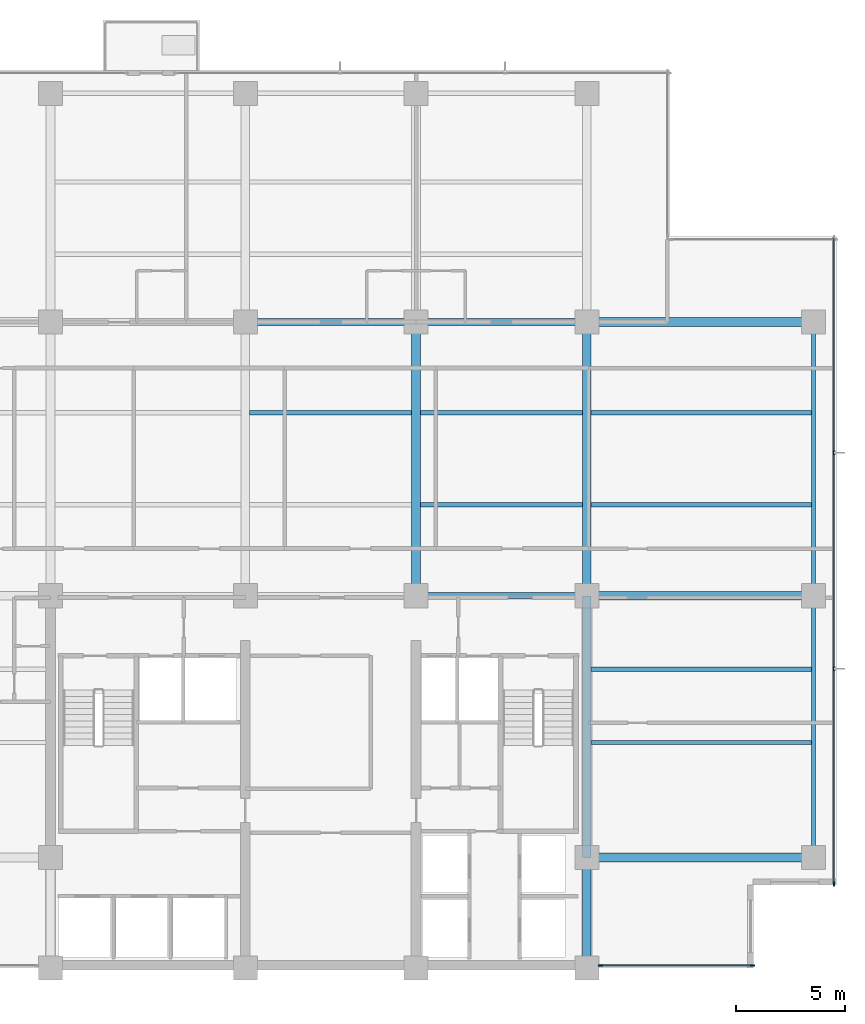
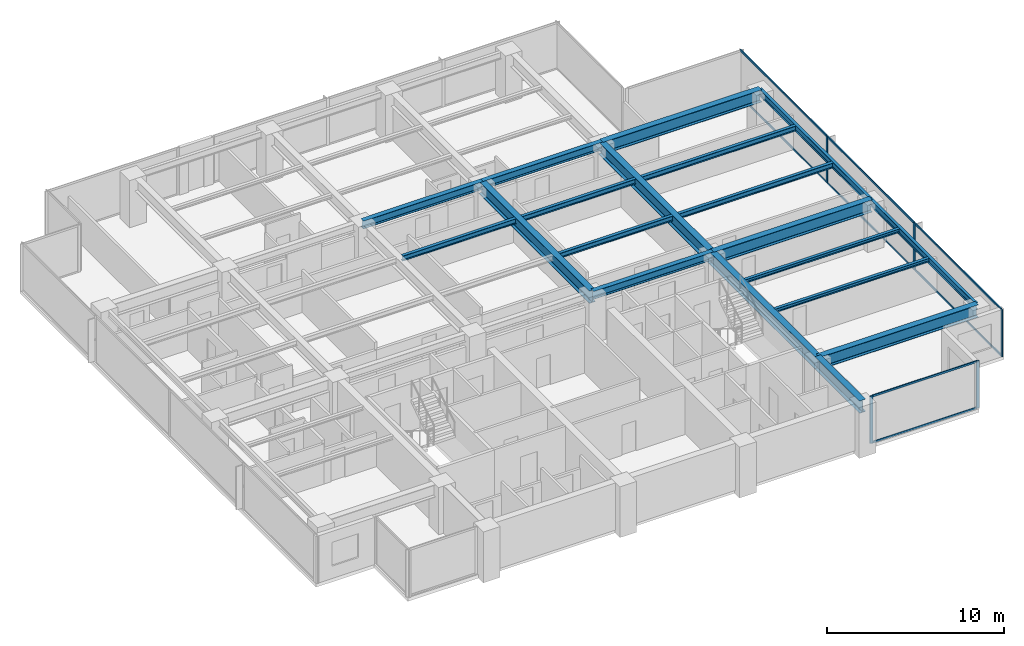
# One storey, part 3 of 14: 19 beams, 13 members, 2 elements without a shape of their own.
"""IFC4 building model written with IfcOpenShell, lengths in metres."""

from ifc_helpers import new_model, si_unit, direction, frame, origin, origin_2d, place, context, subcontext, project, spatial, rectangle, i_section, extrude, material, layer, layer_set, material_profile, profile_set, type_object, element, aggregate, save


model = new_model("IFC4")

# Units and contexts
model_context = context("Model", 3, precision=1e-05, world=origin(), true_north=direction((0.0, 1.0)))
body_context = subcontext(model_context, "Body", "Model", "MODEL_VIEW")
ifc_project = project(units=[si_unit("LENGTHUNIT", "METRE"), si_unit("AREAUNIT", "SQUARE_METRE"), si_unit("VOLUMEUNIT", "CUBIC_METRE"), si_unit("PLANEANGLEUNIT", "RADIAN"), si_unit("MASSUNIT", "GRAM", prefix="KILO")], contexts=[model_context])

# Site, building, storey
site_placement = place(None, origin())
site = spatial("IfcSite", under=ifc_project, at=site_placement, CompositionType="ELEMENT")
building_placement = place(site_placement, origin())
building = spatial("IfcBuilding", under=site, at=building_placement, Name="Qalmaran Belvedere Hotel", CompositionType="ELEMENT")
storey_placement = place(building_placement, frame((0.0, 0.0, 166.60009765625)))
storey = spatial("IfcBuildingStorey", under=building, at=storey_placement, Name="L42", CompositionType="ELEMENT", Elevation=166.60009765625)

# Beams
ifc_material_1 = material(Name="Steel S355JR", Category="steel")
ifc_material_profile_1 = material_profile(ifc_material_1, i_section(OverallWidth=0.201904296875, OverallDepth=0.2470703125, WebThickness=0.00732421875, FlangeThickness=0.010986328125, FilletRadius=0.011962890625, at=origin_2d()), Name="W250X49")
ifc_profile_set_1 = profile_set([ifc_material_profile_1], Name="Steel S355JR")
beam_type_1 = type_object("IfcBeamType", Name="BM-JST-W250X49", PredefinedType="JOIST", material=ifc_profile_set_1)
for number, where, z_axis, x_axis, name in (
    (1, (44.998046875, 13.800048828125, 3.12646484375), (1.0, 0.0, 0.0), (0.0, 1.0, 0.0), "L42 East Wing Joist 039"),
    (2, (44.998046875, 17.14990234375, 3.12646484375), (1.0, 0.0, 0.0), (0.0, 1.0, 0.0), "L42 East Wing Joist 041"),
):
    element("IfcBeam", number, at=place(storey_placement, frame(where, z_axis=z_axis, x_axis=x_axis)), inside=storey, type_object=beam_type_1, Name=name, PredefinedType="JOIST", context=body_context, shape_type="SweptSolid", body=[
        extrude(i_section(OverallWidth=0.201904296875, OverallDepth=0.2470703125, WebThickness=0.00732421875, FlangeThickness=0.010986328125, FilletRadius=0.011962890625, at=origin_2d()), origin(), (0.0, 0.0, 1.0), 10.057861328125),
    ])
ifc_material_profile_2 = material_profile(ifc_material_1, i_section(OverallWidth=0.39990234375, OverallDepth=0.85498046875, WebThickness=0.018310546875, FlangeThickness=0.029296875, FilletRadius=0.02392578125, at=origin_2d()), Name="W840X299")
ifc_profile_set_2 = profile_set([ifc_material_profile_2], Name="Steel S355JR")
beam_type_2 = type_object("IfcBeamType", Name="BM-PG3-W840X299", PredefinedType="USERDEFINED", material=ifc_profile_set_2)
for number, where, z_axis, x_axis, name in (
    (3, (37.0, 20.5, 2.822509765625), (0.0, 1.0, 0.0), (-1.0, 0.0, 0.0), "L42 Mid-Plate N-S Girder 18"),
    (4, (44.800048828125, 20.5, 2.822509765625), (0.0, 1.0, 0.0), (-1.0, 0.0, 0.0), "L42 Mid-Plate N-S Girder 20"),
):
    element("IfcBeam", number, at=place(storey_placement, frame(where, z_axis=z_axis, x_axis=x_axis)), inside=storey, type_object=beam_type_2, Name=name, ObjectType="GIRDER", PredefinedType="USERDEFINED", context=body_context, shape_type="SweptSolid", body=[
        extrude(i_section(OverallWidth=0.39990234375, OverallDepth=0.85498046875, WebThickness=0.018310546875, FlangeThickness=0.029296875, FilletRadius=0.02392578125, at=origin_2d()), origin(), (0.0, 0.0, 1.0), 12.5),
    ])
beam_1_placement = place(storey_placement, frame((44.800048828125, 3.5, 2.822509765625), z_axis=(0.0, 1.0, 0.0), x_axis=(-1.0, 0.0, 0.0)))
element("IfcBeam", 5, at=beam_1_placement, inside=storey, type_object=beam_type_2, Name="L42 East Core Edge Girder A", ObjectType="GIRDER", PredefinedType="USERDEFINED", context=body_context, shape_type="SweptSolid", body=[
    extrude(i_section(OverallWidth=0.39990234375, OverallDepth=0.85498046875, WebThickness=0.018310546875, FlangeThickness=0.029296875, FilletRadius=0.02392578125, at=origin_2d()), origin(), (0.0, 0.0, 1.0), 5.050048828125),
])
beam_2_placement = place(storey_placement, frame((44.800048828125, 8.550048828125, 2.822509765625), z_axis=(0.0, 1.0, 0.0), x_axis=(-1.0, 0.0, 0.0)))
element("IfcBeam", 6, at=beam_2_placement, inside=storey, type_object=beam_type_2, Name="L42 East Core Edge Girder B", ObjectType="GIRDER", PredefinedType="USERDEFINED", context=body_context, shape_type="SweptSolid", body=[
    extrude(i_section(OverallWidth=0.39990234375, OverallDepth=0.85498046875, WebThickness=0.018310546875, FlangeThickness=0.029296875, FilletRadius=0.02392578125, at=origin_2d()), origin(), (0.0, 0.0, 1.0), 11.949951171875),
])
for number, where, z_axis, x_axis, name in (
    (7, (44.800048828125, 8.550048828125, 2.822509765625), (1.0, 0.0, 0.0), (0.0, 1.0, 0.0), "L42 East Wing Girder 25"),
    (8, (44.800048828125, 20.5, 2.822509765625), (1.0, 0.0, 0.0), (0.0, 1.0, 0.0), "L42 East Wing Girder 26"),
    (9, (44.800048828125, 33.0, 2.822509765625), (1.0, 0.0, 0.0), (0.0, 1.0, 0.0), "L42 East Wing Girder 27"),
):
    element("IfcBeam", number, at=place(storey_placement, frame(where, z_axis=z_axis, x_axis=x_axis)), inside=storey, type_object=beam_type_2, Name=name, ObjectType="GIRDER", PredefinedType="USERDEFINED", context=body_context, shape_type="SweptSolid", body=[
        extrude(i_section(OverallWidth=0.39990234375, OverallDepth=0.85498046875, WebThickness=0.018310546875, FlangeThickness=0.029296875, FilletRadius=0.02392578125, at=origin_2d()), origin(), (0.0, 0.0, 1.0), 10.349853515625),
    ])
ifc_material_profile_3 = material_profile(ifc_material_1, i_section(OverallWidth=0.205078125, OverallDepth=0.35400390625, WebThickness=0.009521484375, FlangeThickness=0.016845703125, FilletRadius=0.014892578125, at=origin_2d()), Name="W360X79")
ifc_profile_set_3 = profile_set([ifc_material_profile_3], Name="Steel S355JR")
beam_type_3 = type_object("IfcBeamType", Name="BM-SB3-W360X79", PredefinedType="BEAM", material=ifc_profile_set_3)
beam_3_placement = place(storey_placement, frame((37.197998046875, 24.64990234375, 3.072998046875), z_axis=(1.0, 0.0, 0.0), x_axis=(0.0, 1.0, 0.0)))
element("IfcBeam", 10, at=beam_3_placement, inside=storey, type_object=beam_type_3, Name="L42 Secondary Floor Beam 031", PredefinedType="BEAM", context=body_context, shape_type="SweptSolid", body=[
    extrude(i_section(OverallWidth=0.205078125, OverallDepth=0.35400390625, WebThickness=0.009521484375, FlangeThickness=0.016845703125, FilletRadius=0.014892578125, at=origin_2d()), origin(), (0.0, 0.0, 1.0), 7.404052734375),
])
beam_4_placement = place(storey_placement, frame((44.998046875, 24.64990234375, 3.072998046875), z_axis=(1.0, 0.0, 0.0), x_axis=(0.0, 1.0, 0.0)))
element("IfcBeam", 11, at=beam_4_placement, inside=storey, type_object=beam_type_3, Name="L42 East Secondary Beam 032", PredefinedType="BEAM", context=body_context, shape_type="SweptSolid", body=[
    extrude(i_section(OverallWidth=0.205078125, OverallDepth=0.35400390625, WebThickness=0.009521484375, FlangeThickness=0.016845703125, FilletRadius=0.014892578125, at=origin_2d()), origin(), (0.0, 0.0, 1.0), 10.057861328125),
])
for number, where, z_axis, x_axis, name in (
    (12, (29.39794921875, 28.85009765625, 3.072998046875), (1.0, 0.0, 0.0), (0.0, 1.0, 0.0), "L42 Secondary Floor Beam 035"),
    (13, (37.197998046875, 28.85009765625, 3.072998046875), (1.0, 0.0, 0.0), (0.0, 1.0, 0.0), "L42 Secondary Floor Beam 036"),
):
    element("IfcBeam", number, at=place(storey_placement, frame(where, z_axis=z_axis, x_axis=x_axis)), inside=storey, type_object=beam_type_3, Name=name, PredefinedType="BEAM", context=body_context, shape_type="SweptSolid", body=[
        extrude(i_section(OverallWidth=0.205078125, OverallDepth=0.35400390625, WebThickness=0.009521484375, FlangeThickness=0.016845703125, FilletRadius=0.014892578125, at=origin_2d()), origin(), (0.0, 0.0, 1.0), 7.404052734375),
    ])
beam_5_placement = place(storey_placement, frame((44.998046875, 28.85009765625, 3.072998046875), z_axis=(1.0, 0.0, 0.0), x_axis=(0.0, 1.0, 0.0)))
element("IfcBeam", 14, at=beam_5_placement, inside=storey, type_object=beam_type_3, Name="L42 East Secondary Beam 037", PredefinedType="BEAM", context=body_context, shape_type="SweptSolid", body=[
    extrude(i_section(OverallWidth=0.205078125, OverallDepth=0.35400390625, WebThickness=0.009521484375, FlangeThickness=0.016845703125, FilletRadius=0.014892578125, at=origin_2d()), origin(), (0.0, 0.0, 1.0), 10.057861328125),
])
ifc_material_profile_4 = material_profile(ifc_material_1, i_section(OverallWidth=0.19189453125, OverallDepth=0.462890625, WebThickness=0.010498046875, FlangeThickness=0.017578125, FilletRadius=0.01611328125, at=origin_2d()), Name="W460X89")
ifc_profile_set_4 = profile_set([ifc_material_profile_4], Name="Steel S355JR")
beam_type_4 = type_object("IfcBeamType", Name="BM-SP2-W460X89", PredefinedType="SPANDREL", material=ifc_profile_set_4)
beam_6_placement = place(storey_placement, frame((55.14990234375, 8.550048828125, 3.018310546875), z_axis=(0.0, 1.0, 0.0), x_axis=(-1.0, 0.0, 0.0)))
element("IfcBeam", 15, at=beam_6_placement, inside=storey, type_object=beam_type_4, Name="L42 Perimeter Spandrel 03", PredefinedType="SPANDREL", context=body_context, shape_type="SweptSolid", body=[
    extrude(i_section(OverallWidth=0.19189453125, OverallDepth=0.462890625, WebThickness=0.010498046875, FlangeThickness=0.017578125, FilletRadius=0.01611328125, at=origin_2d()), origin(), (0.0, 0.0, 1.0), 11.949951171875),
])
beam_7_placement = place(storey_placement, frame((55.14990234375, 20.5, 3.018310546875), z_axis=(0.0, 1.0, 0.0), x_axis=(-1.0, 0.0, 0.0)))
element("IfcBeam", 16, at=beam_7_placement, inside=storey, type_object=beam_type_4, Name="L42 Perimeter Spandrel 04", PredefinedType="SPANDREL", context=body_context, shape_type="SweptSolid", body=[
    extrude(i_section(OverallWidth=0.19189453125, OverallDepth=0.462890625, WebThickness=0.010498046875, FlangeThickness=0.017578125, FilletRadius=0.01611328125, at=origin_2d()), origin(), (0.0, 0.0, 1.0), 12.5),
])
ifc_material_profile_5 = material_profile(ifc_material_1, i_section(OverallWidth=0.31201171875, OverallDepth=0.54296875, WebThickness=0.0126953125, FlangeThickness=0.020263671875, FilletRadius=0.01806640625, at=origin_2d()), Name="W530X150")
ifc_profile_set_5 = profile_set([ifc_material_profile_5], Name="Steel S355JR")
beam_type_5 = type_object("IfcBeamType", Name="BM-Z3-W530X150", PredefinedType="USERDEFINED", material=ifc_profile_set_5)
for number, where, z_axis, x_axis, name in (
    (17, (37.0, 20.5, 2.978515625), (1.0, 0.0, 0.0), (0.0, 1.0, 0.0), "L42 Interior E-W Girder 10"),
    (18, (29.199951171875, 33.0, 2.978515625), (1.0, 0.0, 0.0), (0.0, 1.0, 0.0), "L42 Interior E-W Girder 12"),
    (19, (37.0, 33.0, 2.978515625), (1.0, 0.0, 0.0), (0.0, 1.0, 0.0), "L42 Interior E-W Girder 13"),
):
    element("IfcBeam", number, at=place(storey_placement, frame(where, z_axis=z_axis, x_axis=x_axis)), inside=storey, type_object=beam_type_5, Name=name, ObjectType="GIRDER", PredefinedType="USERDEFINED", context=body_context, shape_type="SweptSolid", body=[
        extrude(i_section(OverallWidth=0.31201171875, OverallDepth=0.54296875, WebThickness=0.0126953125, FlangeThickness=0.020263671875, FilletRadius=0.01806640625, at=origin_2d()), origin(), (0.0, 0.0, 1.0), 7.800048828125),
    ])

# Curtain wall, members
ifc_material_2 = material(Name="Anodised Bronze Aluminium", Category="aluminium")
ifc_layer = layer(ifc_material_2, 0.195068359375, Name="Anodised Bronze Aluminium")
ifc_layer_set = layer_set([ifc_layer], Name="Anodised Bronze Aluminium")
curtain_wall_type = type_object("IfcCurtainWallType", Name="CW4-TOWER-HIGHMID", PredefinedType="NOTDEFINED", material=ifc_layer_set)
curtain_wall_1_placement = place(storey_placement, origin())
curtain_wall_1 = element("IfcCurtainWall", 20, at=curtain_wall_1_placement, inside=storey, type_object=curtain_wall_type, Name="L42 Curtain Wall CW4", PredefinedType="NOTDEFINED")
ifc_material_profile_6 = material_profile(ifc_material_2, rectangle(XDim=0.070068359375, YDim=0.18994140625, at=origin_2d()), Name="CWM70X190")
ifc_profile_set_6 = profile_set([ifc_material_profile_6], Name="Anodised Bronze Aluminium")
member_type_1 = type_object("IfcMemberType", Name="CWM-70X190", PredefinedType="MULLION", material=ifc_profile_set_6)
member_1_placement = place(storey_placement, frame((45.425048828125, 3.6201171875, 0.0), z_axis=(0.0, 0.0, 1.0), x_axis=(0.0, 1.0, 0.0)))
member_1 = element("IfcMember", 21, at=member_1_placement, type_object=member_type_1, Name="CW4 mullion 1", PredefinedType="MULLION", context=body_context, shape_type="SweptSolid", body=[
    extrude(rectangle(XDim=0.070068359375, YDim=0.18994140625, at=origin_2d()), origin(), (0.0, 0.0, 1.0), 3.25),
])
member_2_placement = place(storey_placement, frame((52.364990234375, 3.6201171875, 0.0), z_axis=(0.0, 0.0, 1.0), x_axis=(0.0, 1.0, 0.0)))
member_2 = element("IfcMember", 22, at=member_2_placement, type_object=member_type_1, Name="CW4 mullion 2", PredefinedType="MULLION", context=body_context, shape_type="SweptSolid", body=[
    extrude(rectangle(XDim=0.070068359375, YDim=0.18994140625, at=origin_2d()), origin(), (0.0, 0.0, 1.0), 3.25),
])

curtain_wall_2_placement = place(storey_placement, origin())
curtain_wall_2 = element("IfcCurtainWall", 23, at=curtain_wall_2_placement, inside=storey, type_object=curtain_wall_type, Name="L42 Curtain Wall CW4", PredefinedType="NOTDEFINED")
member_3_placement = place(storey_placement, frame((56.080078125, 7.3349609375, 0.0), z_axis=(0.0, 0.0, 1.0), x_axis=(-1.0, 0.0, 0.0)))
member_3 = element("IfcMember", 24, at=member_3_placement, type_object=member_type_1, Name="CW4 mullion 1", PredefinedType="MULLION", context=body_context, shape_type="SweptSolid", body=[
    extrude(rectangle(XDim=0.070068359375, YDim=0.18994140625, at=origin_2d()), origin(), (0.0, 0.0, 1.0), 3.25),
])
member_4_placement = place(storey_placement, frame((56.080078125, 17.166748046875, 0.0), z_axis=(0.0, 0.0, 1.0), x_axis=(-1.0, 0.0, 0.0)))
member_4 = element("IfcMember", 25, at=member_4_placement, type_object=member_type_1, Name="CW4 mullion 2", PredefinedType="MULLION", context=body_context, shape_type="SweptSolid", body=[
    extrude(rectangle(XDim=0.070068359375, YDim=0.18994140625, at=origin_2d()), origin(), (0.0, 0.0, 1.0), 3.25),
])
member_5_placement = place(storey_placement, frame((56.080078125, 27.033447265625, 0.0), z_axis=(0.0, 0.0, 1.0), x_axis=(-1.0, 0.0, 0.0)))
member_5 = element("IfcMember", 26, at=member_5_placement, type_object=member_type_1, Name="CW4 mullion 3", PredefinedType="MULLION", context=body_context, shape_type="SweptSolid", body=[
    extrude(rectangle(XDim=0.070068359375, YDim=0.18994140625, at=origin_2d()), origin(), (0.0, 0.0, 1.0), 3.25),
])

# Member
ifc_material_profile_7 = material_profile(ifc_material_2, rectangle(XDim=0.06494140625, YDim=0.1298828125, at=origin_2d()), Name="CWT65X130")
ifc_profile_set_7 = profile_set([ifc_material_profile_7], Name="Anodised Bronze Aluminium")
member_type_2 = type_object("IfcMemberType", Name="CWT-65X130", PredefinedType="USERDEFINED", material=ifc_profile_set_7)
member_6_placement = place(storey_placement, frame((45.4599609375, 3.6201171875, 0.032470703125), z_axis=(1.0, 0.0, 0.0), x_axis=(0.0, 1.0, 0.0)))
member_6 = element("IfcMember", 27, at=member_6_placement, type_object=member_type_2, Name="CW4 transom 1.1", ObjectType="TRANSOM", PredefinedType="USERDEFINED", context=body_context, shape_type="SweptSolid", body=[
    extrude(rectangle(XDim=0.06494140625, YDim=0.1298828125, at=origin_2d()), origin(), (0.0, 0.0, 1.0), 6.8701171875),
])

member_7_placement = place(storey_placement, frame((45.4599609375, 3.6201171875, 3.21728515625), z_axis=(1.0, 0.0, 0.0), x_axis=(0.0, 1.0, 0.0)))
member_7 = element("IfcMember", 28, at=member_7_placement, type_object=member_type_2, Name="CW4 transom 1.2", ObjectType="TRANSOM", PredefinedType="USERDEFINED", context=body_context, shape_type="SweptSolid", body=[
    extrude(rectangle(XDim=0.06494140625, YDim=0.1298828125, at=origin_2d()), origin(), (0.0, 0.0, 1.0), 6.8701171875),
])

aggregate(curtain_wall_1, [member_1, member_2, member_6, member_7])

member_8_placement = place(storey_placement, frame((56.080078125, 7.3701171875, 0.032470703125), z_axis=(0.0, 1.0, 0.0), x_axis=(-1.0, 0.0, 0.0)))
member_8 = element("IfcMember", 29, at=member_8_placement, type_object=member_type_2, Name="CW4 transom 1.1", ObjectType="TRANSOM", PredefinedType="USERDEFINED", context=body_context, shape_type="SweptSolid", body=[
    extrude(rectangle(XDim=0.06494140625, YDim=0.1298828125, at=origin_2d()), origin(), (0.0, 0.0, 1.0), 9.761474609375),
])

member_9_placement = place(storey_placement, frame((56.080078125, 7.3701171875, 3.21728515625), z_axis=(0.0, 1.0, 0.0), x_axis=(-1.0, 0.0, 0.0)))
member_9 = element("IfcMember", 30, at=member_9_placement, type_object=member_type_2, Name="CW4 transom 1.2", ObjectType="TRANSOM", PredefinedType="USERDEFINED", context=body_context, shape_type="SweptSolid", body=[
    extrude(rectangle(XDim=0.06494140625, YDim=0.1298828125, at=origin_2d()), origin(), (0.0, 0.0, 1.0), 9.761474609375),
])

member_10_placement = place(storey_placement, frame((56.080078125, 17.20166015625, 0.032470703125), z_axis=(0.0, 1.0, 0.0), x_axis=(-1.0, 0.0, 0.0)))
member_10 = element("IfcMember", 31, at=member_10_placement, type_object=member_type_2, Name="CW4 transom 2.1", ObjectType="TRANSOM", PredefinedType="USERDEFINED", context=body_context, shape_type="SweptSolid", body=[
    extrude(rectangle(XDim=0.06494140625, YDim=0.1298828125, at=origin_2d()), origin(), (0.0, 0.0, 1.0), 9.796630859375),
])

member_11_placement = place(storey_placement, frame((56.080078125, 17.20166015625, 3.21728515625), z_axis=(0.0, 1.0, 0.0), x_axis=(-1.0, 0.0, 0.0)))
member_11 = element("IfcMember", 32, at=member_11_placement, type_object=member_type_2, Name="CW4 transom 2.2", ObjectType="TRANSOM", PredefinedType="USERDEFINED", context=body_context, shape_type="SweptSolid", body=[
    extrude(rectangle(XDim=0.06494140625, YDim=0.1298828125, at=origin_2d()), origin(), (0.0, 0.0, 1.0), 9.796630859375),
])

member_12_placement = place(storey_placement, frame((56.080078125, 27.068359375, 0.032470703125), z_axis=(0.0, 1.0, 0.0), x_axis=(-1.0, 0.0, 0.0)))
member_12 = element("IfcMember", 33, at=member_12_placement, type_object=member_type_2, Name="CW4 transom 3.1", ObjectType="TRANSOM", PredefinedType="USERDEFINED", context=body_context, shape_type="SweptSolid", body=[
    extrude(rectangle(XDim=0.06494140625, YDim=0.1298828125, at=origin_2d()), origin(), (0.0, 0.0, 1.0), 9.76171875),
])

member_13_placement = place(storey_placement, frame((56.080078125, 27.068359375, 3.21728515625), z_axis=(0.0, 1.0, 0.0), x_axis=(-1.0, 0.0, 0.0)))
member_13 = element("IfcMember", 34, at=member_13_placement, type_object=member_type_2, Name="CW4 transom 3.2", ObjectType="TRANSOM", PredefinedType="USERDEFINED", context=body_context, shape_type="SweptSolid", body=[
    extrude(rectangle(XDim=0.06494140625, YDim=0.1298828125, at=origin_2d()), origin(), (0.0, 0.0, 1.0), 9.76171875),
])

aggregate(curtain_wall_2, [member_3, member_4, member_5, member_8, member_9, member_10, member_11, member_12, member_13])

save(model, "model.ifc")
